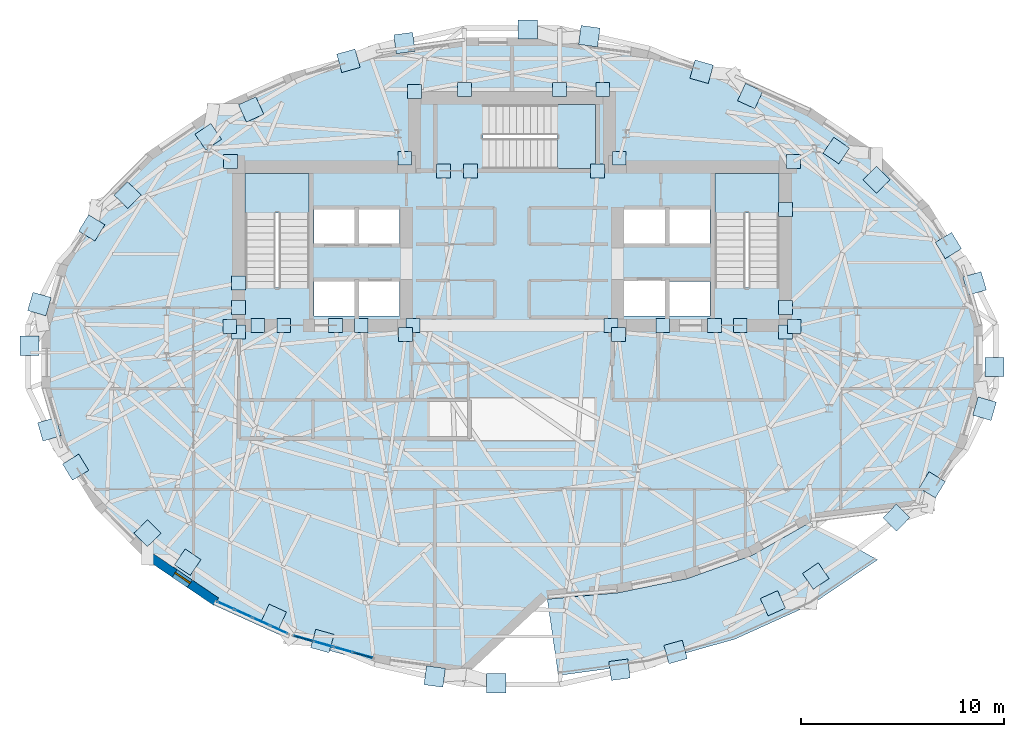
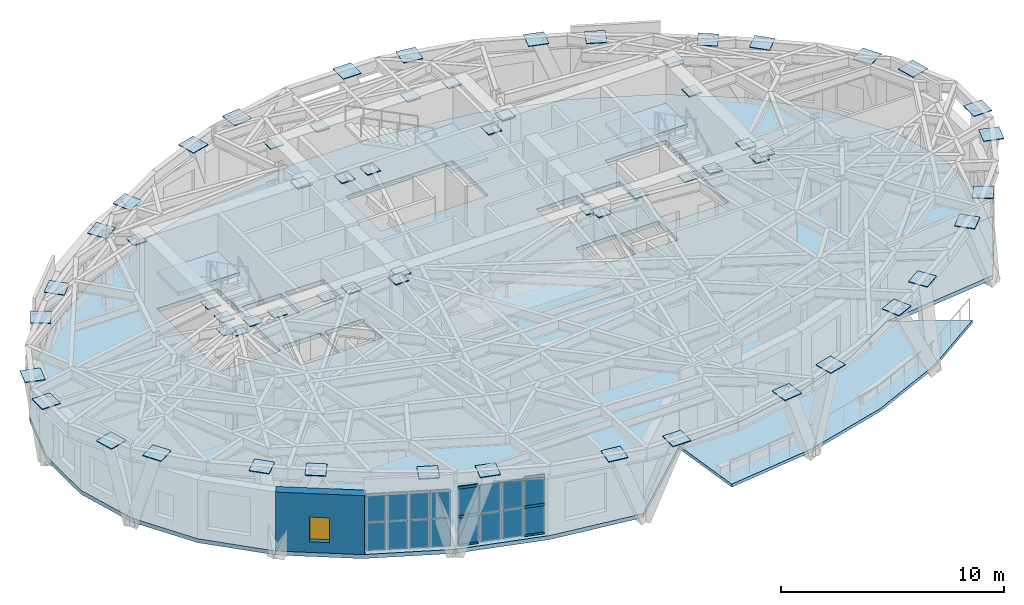
# One storey, part 7 of 15: 78 plates, 6 members, 5 slabs, 1 wall, 1 window, 1 opening, 5 elements without a shape of their own.
"""IFC4 building model written with IfcOpenShell, lengths in metres."""

from ifc_helpers import new_model, si_unit, direction, frame, frame_2d, origin, origin_2d, place, context, subcontext, project, spatial, polyline, rectangle, outline, extrude, material, layer, layer_set, material_profile, profile_set, type_object, element, fill, aggregate, save


model = new_model("IFC4")

# Units and contexts
model_context = context("Model", 3, precision=1e-05, world=origin(), true_north=direction((0.0, 1.0)))
body_context = subcontext(model_context, "Body", "Model", "MODEL_VIEW")
ifc_project = project(units=[si_unit("LENGTHUNIT", "METRE"), si_unit("AREAUNIT", "SQUARE_METRE"), si_unit("VOLUMEUNIT", "CUBIC_METRE"), si_unit("PLANEANGLEUNIT", "RADIAN"), si_unit("MASSUNIT", "GRAM", prefix="KILO")], contexts=[model_context])

# Site, building, storey
site_placement = place(None, origin())
site = spatial("IfcSite", under=ifc_project, at=site_placement, CompositionType="ELEMENT")
building_placement = place(site_placement, origin())
building = spatial("IfcBuilding", under=site, at=building_placement, Name="Keldmark Tower", CompositionType="ELEMENT")
storey_placement = place(building_placement, frame((0.0, 0.0, 205.89990234375)))
storey = spatial("IfcBuildingStorey", under=building, at=storey_placement, Name="L57", CompositionType="ELEMENT", Elevation=205.89990234375)

# Curtain wall, members
ifc_material_1 = material(Name="Unitized Thermally Broken Aluminum and Triple Low-E Glazing", Category="aluminium")
ifc_layer_1 = layer(ifc_material_1, 0.219970703125)
ifc_layer_set_1 = layer_set([ifc_layer_1], Name="Unitized Thermally Broken Aluminum and Triple Low-E Glazing")
curtain_wall_type = type_object("IfcCurtainWallType", Name="Sky Lobby Amenity Curtain Wall System", PredefinedType="NOTDEFINED", material=ifc_layer_set_1)
curtain_wall_1_placement = place(storey_placement, origin())
curtain_wall_1 = element("IfcCurtainWall", 1, at=curtain_wall_1_placement, inside=storey, type_object=curtain_wall_type, Name="L57 Sky Lobby Amenity Curtain Wall System CW-L57-22", PredefinedType="NOTDEFINED")
ifc_material_2 = material(Name="Extruded Aluminum Alloy 6063-T6", Category="aluminium")
ifc_material_profile = material_profile(ifc_material_2, rectangle(XDim=0.06005859375, YDim=0.139892578125, at=origin_2d()), Name="CWT60X140")
ifc_profile_set = profile_set([ifc_material_profile], Name="Extruded Aluminum Alloy 6063-T6")
member_type = type_object("IfcMemberType", Name="Curtain Wall Horizontal Transom 60x140", PredefinedType="USERDEFINED", material=ifc_profile_set)
member_1_placement = place(storey_placement, frame((-6.896728515625, -14.853759765625, 0.030029296875), z_axis=(-0.962774095885, 0.270307307137, 0.0), x_axis=(-0.270307307137, -0.962774095885, 0.0)))
member_1 = element("IfcMember", 2, at=member_1_placement, type_object=member_type, Name="CW transom 1.1", ObjectType="TRANSOM", PredefinedType="USERDEFINED", context=body_context, shape_type="SweptSolid", body=[
    extrude(rectangle(XDim=0.06005859375, YDim=0.139892578125, at=origin_2d()), origin(), (0.0, 0.0, 1.0), 0.935791015625),
])
member_2_placement = place(storey_placement, frame((-6.896728515625, -14.853759765625, 1.607666015625), z_axis=(-0.962774095885, 0.270307307137, 0.0), x_axis=(-0.270307307137, -0.962774095885, 0.0)))
member_2 = element("IfcMember", 3, at=member_2_placement, type_object=member_type, Name="CW transom 1.2", ObjectType="TRANSOM", PredefinedType="USERDEFINED", context=body_context, shape_type="SweptSolid", body=[
    extrude(rectangle(XDim=0.06005859375, YDim=0.139892578125, at=origin_2d()), origin(), (0.0, 0.0, 1.0), 0.935791015625),
])
member_3_placement = place(storey_placement, frame((-6.896728515625, -14.853759765625, 3.18505859375), z_axis=(-0.962774095885, 0.270307307137, 0.0), x_axis=(-0.270307307137, -0.962774095885, 0.0)))
member_3 = element("IfcMember", 4, at=member_3_placement, type_object=member_type, Name="CW transom 1.3", ObjectType="TRANSOM", PredefinedType="USERDEFINED", context=body_context, shape_type="SweptSolid", body=[
    extrude(rectangle(XDim=0.06005859375, YDim=0.139892578125, at=origin_2d()), origin(), (0.0, 0.0, 1.0), 0.935791015625),
])
member_4_placement = place(storey_placement, frame((-9.83056640625, -14.02978515625, 0.030029296875), z_axis=(-0.962706168672, 0.270549131955, 0.0), x_axis=(-0.270549131955, -0.962706168672, 0.0)))
member_4 = element("IfcMember", 5, at=member_4_placement, type_object=member_type, Name="CW transom 4.1", ObjectType="TRANSOM", PredefinedType="USERDEFINED", context=body_context, shape_type="SweptSolid", body=[
    extrude(rectangle(XDim=0.06005859375, YDim=0.139892578125, at=origin_2d()), origin(), (0.0, 0.0, 1.0), 0.935791015625),
])
member_5_placement = place(storey_placement, frame((-9.83056640625, -14.02978515625, 1.607666015625), z_axis=(-0.962706168672, 0.270549131955, 0.0), x_axis=(-0.270549131955, -0.962706168672, 0.0)))
member_5 = element("IfcMember", 6, at=member_5_placement, type_object=member_type, Name="CW transom 4.2", ObjectType="TRANSOM", PredefinedType="USERDEFINED", context=body_context, shape_type="SweptSolid", body=[
    extrude(rectangle(XDim=0.06005859375, YDim=0.139892578125, at=origin_2d()), origin(), (0.0, 0.0, 1.0), 0.935791015625),
])
member_6_placement = place(storey_placement, frame((-9.83056640625, -14.02978515625, 3.18505859375), z_axis=(-0.962706168672, 0.270549131955, 0.0), x_axis=(-0.270549131955, -0.962706168672, 0.0)))
member_6 = element("IfcMember", 7, at=member_6_placement, type_object=member_type, Name="CW transom 4.3", ObjectType="TRANSOM", PredefinedType="USERDEFINED", context=body_context, shape_type="SweptSolid", body=[
    extrude(rectangle(XDim=0.06005859375, YDim=0.139892578125, at=origin_2d()), origin(), (0.0, 0.0, 1.0), 0.935791015625),
])

# Plates
ifc_material_3 = material(Name="Steel ASTM A572 Grade 50", Category="steel")
ifc_layer_2 = layer(ifc_material_3, 0.06005859375)
ifc_layer_set_2 = layer_set([ifc_layer_2], Name="Steel ASTM A572 Grade 50")
plate_type_1 = type_object("IfcPlateType", Name="Belt Truss Kink Node Assembly KN01 60 mm", PredefinedType="USERDEFINED", material=ifc_layer_set_2)
for number, where, z_axis, x_axis, name in (
    (8, (13.91162109375, 1.473388671875, 3.6279296875), (0.0, 0.0, 1.0), (1.0, 0.0, 0.0), "L57 Core Wall Cast-In Embed Plate 1672"),
    (9, (13.878173828125, 9.608154296875, 3.6279296875), (0.0, 0.0, 1.0), (1.0, 0.0, 0.0), "L57 Core Wall Cast-In Embed Plate 1673"),
    (10, (5.28515625, 9.758544921875, 3.6279296875), (0.0, 0.0, 1.0), (1.0, 0.0, 0.0), "L57 Core Wall Cast-In Embed Plate 1674"),
    (11, (-5.28515625, 9.758544921875, 3.6279296875), (0.0, 0.0, 1.0), (1.0, 0.0, 0.0), "L57 Core Wall Cast-In Embed Plate 1675"),
    (12, (-13.878173828125, 9.608154296875, 3.6279296875), (0.0, 0.0, 1.0), (1.0, 0.0, 0.0), "L57 Core Wall Cast-In Embed Plate 1676"),
    (13, (-13.91162109375, 1.473388671875, 3.6279296875), (0.0, 0.0, 1.0), (1.0, 0.0, 0.0), "L57 Core Wall Cast-In Embed Plate 1677"),
    (14, (-5.24072265625, 1.08251953125, 3.6279296875), (0.0, 0.0, 1.0), (1.0, 0.0, 0.0), "L57 Core Wall Cast-In Embed Plate 1678"),
    (15, (5.24072265625, 1.08251953125, 3.6279296875), (0.0, 0.0, 1.0), (1.0, 0.0, 0.0), "L57 Core Wall Cast-In Embed Plate 1679"),
    (16, (-11.25, 1.52490234375, 3.6240234375), (0.0, 0.0, 1.0), (1.0, 0.0, 0.0), "L57 Core Wall Cast-In Embed Plate 1680"),
    (17, (-7.425048828125, 1.52490234375, 3.6240234375), (0.0, 0.0, 1.0), (1.0, 0.0, 0.0), "L57 Core Wall Cast-In Embed Plate 1681"),
    (18, (7.425048828125, 1.52490234375, 3.6240234375), (0.0, 0.0, 1.0), (1.0, 0.0, 0.0), "L57 Core Wall Cast-In Embed Plate 1682"),
    (19, (11.25, 1.52490234375, 3.6240234375), (0.0, 0.0, 1.0), (1.0, 0.0, 0.0), "L57 Core Wall Cast-In Embed Plate 1683"),
    (20, (-13.47509765625, 1.199951171875, 3.6240234375), (0.0, 0.0, 1.0), (1.0, 0.0, 0.0), "L57 Core Wall Cast-In Embed Plate 1684"),
    (21, (-2.04296875, 9.139892578125, 3.6240234375), (0.0, 0.0, 1.0), (1.0, 0.0, 0.0), "L57 Core Wall Cast-In Embed Plate 1685"),
    (22, (9.97509765625, 1.52490234375, 3.6240234375), (0.0, 0.0, 1.0), (1.0, 0.0, 0.0), "L57 Core Wall Cast-In Embed Plate 1686"),
    (23, (13.47509765625, 1.199951171875, 3.6240234375), (0.0, 0.0, 1.0), (1.0, 0.0, 0.0), "L57 Core Wall Cast-In Embed Plate 1687"),
    (24, (13.47509765625, 2.406982421875, 3.6240234375), (0.0, 0.0, 1.0), (1.0, 0.0, 0.0), "L57 Core Wall Cast-In Embed Plate 1688"),
    (25, (13.47509765625, 7.235595703125, 3.6240234375), (0.0, 0.0, 1.0), (1.0, 0.0, 0.0), "L57 Core Wall Cast-In Embed Plate 1689"),
    (26, (-13.47509765625, 3.6142578125, 3.6240234375), (0.0, 0.0, 1.0), (1.0, 0.0, 0.0), "L57 Core Wall Cast-In Embed Plate 1690"),
    (27, (-13.47509765625, 2.406982421875, 3.6240234375), (0.0, 0.0, 1.0), (1.0, 0.0, 0.0), "L57 Core Wall Cast-In Embed Plate 1691"),
    (28, (4.875, 1.52490234375, 3.6240234375), (0.0, 0.0, 1.0), (1.0, 0.0, 0.0), "L57 Core Wall Cast-In Embed Plate 1692"),
    (29, (-8.699951171875, 1.52490234375, 3.6240234375), (0.0, 0.0, 1.0), (1.0, 0.0, 0.0), "L57 Core Wall Cast-In Embed Plate 1693"),
    (30, (-3.371337890625, 9.139892578125, 3.6240234375), (0.0, 0.0, 1.0), (1.0, 0.0, 0.0), "L57 Core Wall Cast-In Embed Plate 1694"),
    (31, (4.215087890625, 9.139892578125, 3.6240234375), (0.0, 0.0, 1.0), (1.0, 0.0, 0.0), "L57 Core Wall Cast-In Embed Plate 1695"),
    (32, (-12.52490234375, 1.52490234375, 3.6240234375), (0.0, 0.0, 1.0), (1.0, 0.0, 0.0), "L57 Core Wall Cast-In Embed Plate 1696"),
    (33, (-4.875, 1.52490234375, 3.6240234375), (0.0, 0.0, 1.0), (1.0, 0.0, 0.0), "L57 Core Wall Cast-In Embed Plate 1697"),
    (34, (2.347412109375, 13.14990234375, 3.6240234375), (0.0, 0.0, 1.0), (1.0, 0.0, 0.0), "L57 Core Wall Cast-In Embed Plate 1698"),
    (35, (-2.347412109375, 13.14990234375, 3.6240234375), (0.0, 0.0, 1.0), (1.0, 0.0, 0.0), "L57 Core Wall Cast-In Embed Plate 1699"),
    (36, (4.47265625, 13.14990234375, 3.6240234375), (0.0, 0.0, 1.0), (1.0, 0.0, 0.0), "L57 Core Wall Cast-In Embed Plate 1700"),
    (37, (-4.800048828125, 13.050048828125, 3.6240234375), (0.0, 0.0, 1.0), (1.0, 0.0, 0.0), "L57 Core Wall Cast-In Embed Plate 1701"),
):
    element("IfcPlate", number, at=place(storey_placement, frame(where, z_axis=z_axis, x_axis=x_axis)), inside=storey, type_object=plate_type_1, Name=name, ObjectType="CAP PLATE", PredefinedType="USERDEFINED", context=body_context, shape_type="SweptSolid", body=[
        extrude(rectangle(XDim=0.679931640625, YDim=0.679931640625, at=origin_2d()), origin(), (0.0, 0.0, 1.0), 0.054931640625),
    ])
ifc_material_4 = material(Name="Steel ASTM A572 Grade 50", Category="steel")
ifc_layer_3 = layer(ifc_material_4, 0.0400390625)
ifc_layer_set_3 = layer_set([ifc_layer_3], Name="Steel ASTM A572 Grade 50")
plate_type_2 = type_object("IfcPlateType", Name="Diagrid Node Assembly DN05 40 mm", PredefinedType="USERDEFINED", material=ifc_layer_set_3)
for number, where, z_axis, x_axis, name in (
    (38, (22.7939453125, 3.59228515625, 3.780029296875), (0.0, 0.0, 1.0), (-0.281504190071, 0.959559998631, 0.0), "L57 Diagrid Node Assembly 01"),
    (39, (21.50439453125, 5.4619140625, 3.780029296875), (0.0, 0.0, 1.0), (-0.521307545528, 0.853368878608, 0.0), "L57 Diagrid Node Assembly 02"),
    (40, (17.96337890625, 8.708984375, 3.780029296875), (0.0, 0.0, 1.0), (-0.701904466245, 0.712271100259, 0.0), "L57 Diagrid Node Assembly 03"),
    (41, (15.97998046875, 10.14111328125, 3.780029296875), (0.0, 0.0, 1.0), (-0.827668733006, 0.561216953062, 0.0), "L57 Diagrid Node Assembly 04"),
    (42, (11.73681640625, 12.831787109375, 3.780029296875), (0.0, 0.0, 1.0), (-0.910899836935, 0.412627540369, 0.0), "L57 Diagrid Node Assembly 05"),
    (43, (9.344970703125, 14.027587890625, 3.780029296875), (0.0, 0.0, 1.0), (-0.962738960451, 0.270432420449, 0.0), "L57 Diagrid Node Assembly 06"),
    (44, (3.808837890625, 15.77587890625, 3.780029296875), (0.0, 0.0, 1.0), (-0.991029909341, 0.133640258869, 0.0), "L57 Diagrid Node Assembly 07"),
    (45, (0.776611328125, 16.10595703125, 3.780029296875), (0.0, 0.0, 1.0), (-1.0, 0.0, 0.0), "L57 Diagrid Node Assembly 08"),
    (46, (-5.29931640625, 15.441162109375, 3.780029296875), (0.0, 0.0, 1.0), (-0.991029909341, -0.133640258869, 0.0), "L57 Diagrid Node Assembly 09"),
    (47, (-8.06103515625, 14.56689453125, 3.780029296875), (0.0, 0.0, 1.0), (-0.962738960451, -0.270432420449, 0.0), "L57 Diagrid Node Assembly 10"),
    (48, (-12.853515625, 12.166748046875, 3.780029296875), (0.0, 0.0, 1.0), (-0.910899836935, -0.412627540369, 0.0), "L57 Diagrid Node Assembly 11"),
    (49, (-14.969482421875, 10.82373046875, 3.780029296875), (0.0, 0.0, 1.0), (-0.827668733006, -0.561216953062, 0.0), "L57 Diagrid Node Assembly 12"),
    (50, (-18.940673828125, 7.9482421875, 3.780029296875), (0.0, 0.0, 1.0), (-0.701904466245, -0.712271100259, 0.0), "L57 Diagrid Node Assembly 13"),
    (51, (-20.70703125, 6.3291015625, 3.780029296875), (0.0, 0.0, 1.0), (-0.521307545528, -0.853368878608, 0.0), "L57 Diagrid Node Assembly 14"),
    (52, (-23.28662109375, 2.577880859375, 3.780029296875), (0.0, 0.0, 1.0), (-0.281504190071, -0.959559998631, 0.0), "L57 Diagrid Node Assembly 15"),
    (53, (-23.7744140625, 0.52490234375, 3.780029296875), (0.0, 0.0, 1.0), (0.0, -1.0, 0.0), "L57 Diagrid Node Assembly 16"),
    (54, (-22.7939453125, -3.59228515625, 3.780029296875), (0.0, 0.0, 1.0), (0.281504190071, -0.959559998631, 0.0), "L57 Diagrid Node Assembly 17"),
    (55, (-21.50439453125, -5.4619140625, 3.780029296875), (0.0, 0.0, 1.0), (0.521307545528, -0.853368878608, 0.0), "L57 Diagrid Node Assembly 18"),
    (56, (-17.96337890625, -8.708984375, 3.780029296875), (0.0, 0.0, 1.0), (0.701904466245, -0.712271100259, 0.0), "L57 Diagrid Node Assembly 19"),
    (57, (-15.97998046875, -10.14111328125, 3.780029296875), (0.0, 0.0, 1.0), (0.827668733006, -0.561216953062, 0.0), "L57 Diagrid Node Assembly 20"),
    (58, (-11.73681640625, -12.831787109375, 3.780029296875), (0.0, 0.0, 1.0), (0.910899836935, -0.412627540369, 0.0), "L57 Diagrid Node Assembly 21"),
    (59, (-9.344970703125, -14.027587890625, 3.780029296875), (0.0, 0.0, 1.0), (0.962738960451, -0.270432420449, 0.0), "L57 Diagrid Node Assembly 22"),
    (60, (-3.808837890625, -15.77587890625, 3.780029296875), (0.0, 0.0, 1.0), (0.991029909341, -0.133640258869, 0.0), "L57 Diagrid Node Assembly 23"),
    (61, (-0.776611328125, -16.10595703125, 3.780029296875), (0.0, 0.0, 1.0), (1.0, 0.0, 0.0), "L57 Diagrid Node Assembly 24"),
    (62, (5.29931640625, -15.441162109375, 3.780029296875), (0.0, 0.0, 1.0), (0.991029909341, 0.133640258869, 0.0), "L57 Diagrid Node Assembly 25"),
    (63, (8.06103515625, -14.56689453125, 3.780029296875), (0.0, 0.0, 1.0), (0.962738960451, 0.270432420449, 0.0), "L57 Diagrid Node Assembly 26"),
    (64, (12.853515625, -12.166748046875, 3.780029296875), (0.0, 0.0, 1.0), (0.910899836935, 0.412627540369, 0.0), "L57 Diagrid Node Assembly 27"),
    (65, (14.969482421875, -10.82373046875, 3.780029296875), (0.0, 0.0, 1.0), (0.827668733006, 0.561216953062, 0.0), "L57 Diagrid Node Assembly 28"),
    (66, (18.940673828125, -7.9482421875, 3.780029296875), (0.0, 0.0, 1.0), (0.701904466245, 0.712271100259, 0.0), "L57 Diagrid Node Assembly 29"),
    (67, (20.70703125, -6.3291015625, 3.780029296875), (0.0, 0.0, 1.0), (0.521307545528, 0.853368878608, 0.0), "L57 Diagrid Node Assembly 30"),
    (68, (23.28662109375, -2.577880859375, 3.780029296875), (0.0, 0.0, 1.0), (0.281504190071, 0.959559998631, 0.0), "L57 Diagrid Node Assembly 31"),
    (69, (23.7744140625, -0.52490234375, 3.780029296875), (0.0, 0.0, 1.0), (0.0, 1.0, 0.0), "L57 Diagrid Node Assembly 32"),
):
    element("IfcPlate", number, at=place(storey_placement, frame(where, z_axis=z_axis, x_axis=x_axis)), inside=storey, type_object=plate_type_2, Name=name, ObjectType="GUSSET", PredefinedType="USERDEFINED", context=body_context, shape_type="SweptSolid", body=[
        extrude(rectangle(XDim=0.93994140625, YDim=0.93994140625, at=origin_2d()), origin(), (0.0, 0.0, 1.0), 0.0400390625),
    ])

# Slab
ifc_material_5 = material(Name="Concrete C35/45", Category="concrete")
ifc_layer_4 = layer(ifc_material_5, 0.1650390625)
ifc_layer_set_4 = layer_set([ifc_layer_4], Name="Concrete C35/45")
slab_type_1 = type_object("IfcSlabType", Name="Planted Sky-Garden Terrace Slab 165 mm", PredefinedType="ROOF", material=ifc_layer_set_4)
slab_1_placement = place(storey_placement, frame((0.0, 0.0, -0.164794921875)))
element("IfcSlab", 70, at=slab_1_placement, inside=storey, type_object=slab_type_1, Name="Planted Sky-Garden Terrace Slab", PredefinedType="ROOF", context=body_context, shape_type="SweptSolid", body=[
    extrude(outline(polyline([(2.28369140625, -15.723876953125), (6.763671875, -15.11962890625), (10.9833984375, -13.934326171875), (14.781494140625, -12.213623046875), (18.010986328125, -10.0234375), (14.690673828125, -8.175537109375), (11.85205078125, -9.793212890625), (8.631103515625, -10.949951171875), (5.2119140625, -11.65087890625), (1.737548828125, -11.96337890625), (2.28369140625, -15.723876953125)])), origin(), (0.0, 0.0, 1.0), 0.164794921875),
])

# Stair, slab
ifc_material_6 = material(Name="Concrete C40/50", Category="concrete")
stair_type = type_object("IfcStairType", Name="Precast Concrete Core Exit Stair", PredefinedType="HALF_TURN_STAIR", material=ifc_material_6)
stair_1_placement = place(storey_placement, origin())
stair_1 = element("IfcStair", 71, at=stair_1_placement, inside=storey, type_object=stair_type, Name="L57 Exit Stair ST1", PredefinedType="HALF_TURN_STAIR")
ifc_material_7 = material(Name="Concrete C40/50", Category="concrete")
ifc_layer_5 = layer(ifc_material_7, 0.199951171875)
ifc_layer_set_5 = layer_set([ifc_layer_5], Name="Concrete C40/50")
slab_type_2 = type_object("IfcSlabType", Name="Reinforced Concrete Stair Landing 200 mm", PredefinedType="LANDING", material=ifc_layer_set_5)
slab_2_placement = place(storey_placement, frame((0.0, 0.0, 1.85009765625)))
slab_2 = element("IfcSlab", 72, at=slab_2_placement, type_object=slab_type_2, Name="ST1 landing 1", PredefinedType="LANDING", context=body_context, shape_type="SweptSolid", body=[
    extrude(outline(polyline([(-10.0, 7.070068359375), (-10.0, 9.0), (-13.14990234375, 9.0), (-13.14990234375, 7.070068359375), (-10.0, 7.070068359375)])), origin(), (0.0, 0.0, 1.0), 0.199951171875),
])
aggregate(stair_1, [slab_2])

stair_2_placement = place(storey_placement, origin())
stair_2 = element("IfcStair", 73, at=stair_2_placement, inside=storey, type_object=stair_type, Name="L57 Exit Stair ST2", PredefinedType="HALF_TURN_STAIR")
slab_3_placement = place(storey_placement, frame((0.0, 0.0, 1.85009765625)))
slab_3 = element("IfcSlab", 74, at=slab_3_placement, type_object=slab_type_2, Name="ST2 landing 1", PredefinedType="LANDING", context=body_context, shape_type="SweptSolid", body=[
    extrude(outline(polyline([(13.14990234375, 7.070068359375), (13.14990234375, 9.0), (10.0, 9.0), (10.0, 7.070068359375), (13.14990234375, 7.070068359375)])), origin(), (0.0, 0.0, 1.0), 0.199951171875),
])
aggregate(stair_2, [slab_3])

stair_3_placement = place(storey_placement, origin())
stair_3 = element("IfcStair", 75, at=stair_3_placement, inside=storey, type_object=stair_type, Name="L57 Exit Stair ST3", PredefinedType="HALF_TURN_STAIR")
slab_4_placement = place(storey_placement, frame((0.0, 0.0, 1.85009765625)))
slab_4 = element("IfcSlab", 76, at=slab_4_placement, type_object=slab_type_2, Name="ST3 landing 1", PredefinedType="LANDING", context=body_context, shape_type="SweptSolid", body=[
    extrude(outline(polyline([(2.2451171875, 9.25), (4.10498046875, 9.25), (4.10498046875, 12.39990234375), (2.2451171875, 12.39990234375), (2.2451171875, 9.25)])), origin(), (0.0, 0.0, 1.0), 0.199951171875),
])
aggregate(stair_3, [slab_4])

# Slab
ifc_material_8 = material(Name="Concrete C35/45", Category="concrete")
ifc_layer_6 = layer(ifc_material_8, 0.219970703125)
ifc_layer_set_6 = layer_set([ifc_layer_6], Name="Concrete C35/45")
slab_type_3 = type_object("IfcSlabType", Name="Sky Lobby Floor Slab 220 mm", PredefinedType="FLOOR", material=ifc_layer_set_6)
slab_5_placement = place(storey_placement, frame((0.0, 0.0, -0.219970703125)))
element("IfcSlab", 77, at=slab_5_placement, inside=storey, type_object=slab_type_3, Name="L57 Composite Structural Floor Slab", PredefinedType="FLOOR", context=body_context, shape_type="SweptSolid", body=[
    extrude(outline(polyline([(23.187744140625, 1.548583984375), (22.296630859375, 4.58642578125), (20.548828125, 7.447998046875), (18.010986328125, 10.0234375), (14.781494140625, 12.213623046875), (10.9833984375, 13.934326171875), (6.763671875, 15.11962890625), (2.28369140625, 15.723876953125), (-2.28369140625, 15.723876953125), (-6.763671875, 15.11962890625), (-10.9833984375, 13.934326171875), (-14.781494140625, 12.213623046875), (-18.010986328125, 10.0234375), (-20.548828125, 7.447998046875), (-22.296630859375, 4.58642578125), (-23.187744140625, 1.548583984375), (-23.187744140625, -1.548583984375), (-22.296630859375, -4.58642578125), (-20.548828125, -7.447998046875), (-18.010986328125, -10.0234375), (-14.781494140625, -12.213623046875), (-10.9833984375, -13.934326171875), (-6.763671875, -15.11962890625), (-2.28369140625, -15.723876953125), (1.737548828125, -11.96337890625), (5.2119140625, -11.65087890625), (8.631103515625, -10.949951171875), (11.85205078125, -9.793212890625), (14.690673828125, -8.175537109375), (20.548828125, -7.447998046875), (22.296630859375, -4.58642578125), (23.187744140625, -1.548583984375), (23.187744140625, 1.548583984375)]), holes=[polyline([(-10.0, 3.385009765625), (-10.0, 9.0), (-13.14990234375, 9.0), (-13.14990234375, 3.385009765625), (-10.0, 3.385009765625)]), polyline([(13.14990234375, 3.385009765625), (13.14990234375, 9.0), (10.0, 9.0), (10.0, 3.385009765625), (13.14990234375, 3.385009765625)]), polyline([(-1.43994140625, 9.25), (4.10498046875, 9.25), (4.10498046875, 12.39990234375), (-1.43994140625, 12.39990234375), (-1.43994140625, 9.25)]), polyline([(-9.75, 2.0), (-7.75, 2.0), (-7.75, 3.699951171875), (-9.75, 3.699951171875), (-9.75, 2.0)]), polyline([(7.75, 2.0), (9.75, 2.0), (9.75, 3.699951171875), (7.75, 3.699951171875), (7.75, 2.0)]), polyline([(5.449951171875, 2.0), (7.550048828125, 2.0), (7.550048828125, 3.75), (5.449951171875, 3.75), (5.449951171875, 2.0)]), polyline([(-9.75, 5.550048828125), (-7.75, 5.550048828125), (-7.75, 7.25), (-9.75, 7.25), (-9.75, 5.550048828125)]), polyline([(-7.550048828125, 5.550048828125), (-5.550048828125, 5.550048828125), (-5.550048828125, 7.25), (-7.550048828125, 7.25), (-7.550048828125, 5.550048828125)]), polyline([(-7.550048828125, 2.0), (-5.550048828125, 2.0), (-5.550048828125, 3.699951171875), (-7.550048828125, 3.699951171875), (-7.550048828125, 2.0)]), polyline([(5.449951171875, 5.550048828125), (7.550048828125, 5.550048828125), (7.550048828125, 7.25), (5.449951171875, 7.25), (5.449951171875, 5.550048828125)]), polyline([(7.75, 5.550048828125), (9.75, 5.550048828125), (9.75, 7.25), (7.75, 7.25), (7.75, 5.550048828125)])]), origin(), (0.0, 0.0, 1.0), 0.219970703125),
])

# Curtain wall, plates
curtain_wall_2_placement = place(storey_placement, origin())
curtain_wall_2 = element("IfcCurtainWall", 78, at=curtain_wall_2_placement, inside=storey, type_object=curtain_wall_type, Name="L57 Sky Lobby Amenity Curtain Wall System CW-L57-21", PredefinedType="NOTDEFINED")
ifc_material_9 = material(Name="Triple Silver Low-E Insulated Glass Unit", Category="glass")
ifc_layer_7 = layer(ifc_material_9, 0.035888671875)
ifc_layer_set_7 = layer_set([ifc_layer_7], Name="Triple Silver Low-E Insulated Glass Unit")
plate_type_3 = type_object("IfcPlateType", Name="Triple Low-E Vision Glazing Panel 36 mm", PredefinedType="CURTAIN_PANEL", material=ifc_layer_set_7)
plate_1_placement = place(storey_placement, frame((-11.476806640625, -13.46923828125, 0.06005859375), z_axis=(0.0, 0.0, 1.0), x_axis=(-0.910870310441, 0.412692715658, 0.0)))
plate_1 = element("IfcPlate", 79, at=plate_1_placement, type_object=plate_type_3, Name="CW panel 1.1", PredefinedType="CURTAIN_PANEL", context=body_context, shape_type="SweptSolid", body=[
    extrude(rectangle(XDim=0.88232421875, YDim=0.035888671875, at=origin_2d()), origin(), (0.0, 0.0, 1.0), 1.517578125),
])
plate_2_placement = place(storey_placement, frame((-11.476806640625, -13.46923828125, 1.637451171875), z_axis=(0.0, 0.0, 1.0), x_axis=(-0.910870310441, 0.412692715658, 0.0)))
plate_2 = element("IfcPlate", 80, at=plate_2_placement, type_object=plate_type_3, Name="CW panel 1.2", PredefinedType="CURTAIN_PANEL", context=body_context, shape_type="SweptSolid", body=[
    extrude(rectangle(XDim=0.88232421875, YDim=0.035888671875, at=origin_2d()), origin(), (0.0, 0.0, 1.0), 1.517578125),
])
plate_3_placement = place(storey_placement, frame((-12.348876953125, -13.07421875, 0.06005859375), z_axis=(0.0, 0.0, 1.0), x_axis=(-0.910870310441, 0.412692715658, 0.0)))
plate_3 = element("IfcPlate", 81, at=plate_3_placement, type_object=plate_type_3, Name="CW panel 2.1", PredefinedType="CURTAIN_PANEL", context=body_context, shape_type="SweptSolid", body=[
    extrude(rectangle(XDim=0.912353515625, YDim=0.035888671875, at=origin_2d()), origin(), (0.0, 0.0, 1.0), 1.517578125),
])
plate_4_placement = place(storey_placement, frame((-12.348876953125, -13.07421875, 1.637451171875), z_axis=(0.0, 0.0, 1.0), x_axis=(-0.910870310441, 0.412692715658, 0.0)))
plate_4 = element("IfcPlate", 82, at=plate_4_placement, type_object=plate_type_3, Name="CW panel 2.2", PredefinedType="CURTAIN_PANEL", context=body_context, shape_type="SweptSolid", body=[
    extrude(rectangle(XDim=0.912353515625, YDim=0.035888671875, at=origin_2d()), origin(), (0.0, 0.0, 1.0), 1.517578125),
])
plate_5_placement = place(storey_placement, frame((-13.234619140625, -12.6728515625, 0.06005859375), z_axis=(0.0, 0.0, 1.0), x_axis=(-0.910870310441, 0.412692715658, 0.0)))
plate_5 = element("IfcPlate", 83, at=plate_5_placement, type_object=plate_type_3, Name="CW panel 3.1", PredefinedType="CURTAIN_PANEL", context=body_context, shape_type="SweptSolid", body=[
    extrude(rectangle(XDim=0.912353515625, YDim=0.035888671875, at=origin_2d()), origin(), (0.0, 0.0, 1.0), 1.517578125),
])
plate_6_placement = place(storey_placement, frame((-13.234619140625, -12.6728515625, 1.637451171875), z_axis=(0.0, 0.0, 1.0), x_axis=(-0.910870310441, 0.412692715658, 0.0)))
plate_6 = element("IfcPlate", 84, at=plate_6_placement, type_object=plate_type_3, Name="CW panel 3.2", PredefinedType="CURTAIN_PANEL", context=body_context, shape_type="SweptSolid", body=[
    extrude(rectangle(XDim=0.912353515625, YDim=0.035888671875, at=origin_2d()), origin(), (0.0, 0.0, 1.0), 1.517578125),
])
plate_7_placement = place(storey_placement, frame((-14.106689453125, -12.27783203125, 0.06005859375), z_axis=(0.0, 0.0, 1.0), x_axis=(-0.910870310441, 0.412692715658, 0.0)))
plate_7 = element("IfcPlate", 85, at=plate_7_placement, type_object=plate_type_3, Name="CW panel 4.1", PredefinedType="CURTAIN_PANEL", context=body_context, shape_type="SweptSolid", body=[
    extrude(rectangle(XDim=0.88232421875, YDim=0.035888671875, at=origin_2d()), origin(), (0.0, 0.0, 1.0), 1.517578125),
])
plate_8_placement = place(storey_placement, frame((-14.106689453125, -12.27783203125, 1.637451171875), z_axis=(0.0, 0.0, 1.0), x_axis=(-0.910870310441, 0.412692715658, 0.0)))
plate_8 = element("IfcPlate", 86, at=plate_8_placement, type_object=plate_type_3, Name="CW panel 4.2", PredefinedType="CURTAIN_PANEL", context=body_context, shape_type="SweptSolid", body=[
    extrude(rectangle(XDim=0.88232421875, YDim=0.035888671875, at=origin_2d()), origin(), (0.0, 0.0, 1.0), 1.517578125),
])
aggregate(curtain_wall_2, [plate_1, plate_2, plate_3, plate_4, plate_5, plate_6, plate_7, plate_8])

# Plate
plate_9_placement = place(storey_placement, frame((-7.34716796875, -14.727294921875, 0.06005859375), z_axis=(0.0, 0.0, 1.0), x_axis=(-0.962747548753, 0.270401844243, 0.0)))
plate_9 = element("IfcPlate", 87, at=plate_9_placement, type_object=plate_type_3, Name="CW panel 1.1", PredefinedType="CURTAIN_PANEL", context=body_context, shape_type="SweptSolid", body=[
    extrude(rectangle(XDim=0.935791015625, YDim=0.035888671875, at=origin_2d()), origin(), (0.0, 0.0, 1.0), 1.517578125),
])

plate_10_placement = place(storey_placement, frame((-7.34716796875, -14.727294921875, 1.637451171875), z_axis=(0.0, 0.0, 1.0), x_axis=(-0.962747548753, 0.270401844243, 0.0)))
plate_10 = element("IfcPlate", 88, at=plate_10_placement, type_object=plate_type_3, Name="CW panel 1.2", PredefinedType="CURTAIN_PANEL", context=body_context, shape_type="SweptSolid", body=[
    extrude(rectangle(XDim=0.935791015625, YDim=0.035888671875, at=origin_2d()), origin(), (0.0, 0.0, 1.0), 1.517578125),
])

plate_11_placement = place(storey_placement, frame((-8.3203125, -14.453857421875, 0.06005859375), z_axis=(0.0, 0.0, 1.0), x_axis=(-0.962747548753, 0.270401844243, 0.0)))
plate_11 = element("IfcPlate", 89, at=plate_11_placement, type_object=plate_type_3, Name="CW panel 2.1", PredefinedType="CURTAIN_PANEL", context=body_context, shape_type="SweptSolid", body=[
    extrude(rectangle(XDim=0.9658203125, YDim=0.035888671875, at=origin_2d()), origin(), (0.0, 0.0, 1.0), 1.517578125),
])

plate_12_placement = place(storey_placement, frame((-8.3203125, -14.453857421875, 1.637451171875), z_axis=(0.0, 0.0, 1.0), x_axis=(-0.962747548753, 0.270401844243, 0.0)))
plate_12 = element("IfcPlate", 90, at=plate_12_placement, type_object=plate_type_3, Name="CW panel 2.2", PredefinedType="CURTAIN_PANEL", context=body_context, shape_type="SweptSolid", body=[
    extrude(rectangle(XDim=0.9658203125, YDim=0.035888671875, at=origin_2d()), origin(), (0.0, 0.0, 1.0), 1.517578125),
])

plate_13_placement = place(storey_placement, frame((-9.307861328125, -14.176513671875, 0.06005859375), z_axis=(0.0, 0.0, 1.0), x_axis=(-0.962747548753, 0.270401844243, 0.0)))
plate_13 = element("IfcPlate", 91, at=plate_13_placement, type_object=plate_type_3, Name="CW panel 3.1", PredefinedType="CURTAIN_PANEL", context=body_context, shape_type="SweptSolid", body=[
    extrude(rectangle(XDim=0.9658203125, YDim=0.035888671875, at=origin_2d()), origin(), (0.0, 0.0, 1.0), 1.517578125),
])

plate_14_placement = place(storey_placement, frame((-9.307861328125, -14.176513671875, 1.637451171875), z_axis=(0.0, 0.0, 1.0), x_axis=(-0.962747548753, 0.270401844243, 0.0)))
plate_14 = element("IfcPlate", 92, at=plate_14_placement, type_object=plate_type_3, Name="CW panel 3.2", PredefinedType="CURTAIN_PANEL", context=body_context, shape_type="SweptSolid", body=[
    extrude(rectangle(XDim=0.9658203125, YDim=0.035888671875, at=origin_2d()), origin(), (0.0, 0.0, 1.0), 1.517578125),
])

plate_15_placement = place(storey_placement, frame((-10.281005859375, -13.9033203125, 0.06005859375), z_axis=(0.0, 0.0, 1.0), x_axis=(-0.962747548753, 0.270401844243, 0.0)))
plate_15 = element("IfcPlate", 93, at=plate_15_placement, type_object=plate_type_3, Name="CW panel 4.1", PredefinedType="CURTAIN_PANEL", context=body_context, shape_type="SweptSolid", body=[
    extrude(rectangle(XDim=0.935791015625, YDim=0.035888671875, at=origin_2d()), origin(), (0.0, 0.0, 1.0), 1.517578125),
])

plate_16_placement = place(storey_placement, frame((-10.281005859375, -13.9033203125, 1.637451171875), z_axis=(0.0, 0.0, 1.0), x_axis=(-0.962747548753, 0.270401844243, 0.0)))
plate_16 = element("IfcPlate", 94, at=plate_16_placement, type_object=plate_type_3, Name="CW panel 4.2", PredefinedType="CURTAIN_PANEL", context=body_context, shape_type="SweptSolid", body=[
    extrude(rectangle(XDim=0.935791015625, YDim=0.035888671875, at=origin_2d()), origin(), (0.0, 0.0, 1.0), 1.517578125),
])

aggregate(curtain_wall_1, [member_1, member_2, member_3, plate_9, plate_10, plate_11, plate_12, plate_13, plate_14, member_4, member_5, member_6, plate_15, plate_16])

# Wall, opening, window
ifc_material_10 = material(Name="Ironspot Manganese Brick and Kasota Buff Limestone Spandrel Assembly", Category="masonry")
ifc_layer_8 = layer(ifc_material_10, 0.43994140625)
ifc_layer_set_8 = layer_set([ifc_layer_8], Name="Ironspot Manganese Brick and Kasota Buff Limestone Spandrel Assembly")
wall_type = type_object("IfcWallType", Name="Tower Brick Pier and Spandrel Wall 440 mm", PredefinedType="STANDARD", material=ifc_layer_set_8)
wall_placement = place(storey_placement, frame((-14.5751953125, -12.087646484375, 0.0), z_axis=(0.0, 0.0, 1.0), x_axis=(-0.827641742214, 0.561256756347, 0.0)))
wall = element("IfcWall", 95, at=wall_placement, inside=storey, type_object=wall_type, Name="L57 Exterior Brick and Spandrel Wall 20", PredefinedType="STANDARD", context=body_context, shape_type="SweptSolid", body=[
    extrude(rectangle(XDim=4.00244140625, YDim=0.43994140625, at=frame_2d((2.001220703125, 0.0))), origin(), (0.0, 0.0, 1.0), 3.218994140625),
])
opening_placement = place(wall_placement, frame((1.57568359375, 0.0, 0.580078125)))
opening = element("IfcOpeningElement", 96, at=opening_placement, cuts=wall, Name="Opening W-09", PredefinedType="OPENING", context=body_context, shape_type="SweptSolid", body=[
    extrude(rectangle(XDim=0.89990234375, YDim=1.35009765625, at=frame_2d((0.449951171875, 0.675048828125))), frame((0.0, 0.22998046875, 0.0), z_axis=(0.0, -1.0, 0.0), x_axis=(1.0, 0.0, 0.0)), (0.0, 0.0, 1.0), 0.4599609375),
])
ifc_material_11 = material(Name="Thermally Broken Anodized Aluminum and Triple Low-E Argon Glazing", Category="aluminium")
window_type = type_object("IfcWindowType", Name="Corner Pier Deep-Set Window 900x1350", PartitioningType="SINGLE_PANEL", PredefinedType="WINDOW", material=ifc_material_11)
window_placement = place(opening_placement, origin())
window = element("IfcWindow", 97, at=window_placement, inside=storey, type_object=window_type, Name="L57 Deep-Set Window 20", OverallHeight=1.35009765625, OverallWidth=0.89990234375, PartitioningType="SINGLE_PANEL", PredefinedType="WINDOW", context=body_context, shape_type="SweptSolid", body=[
    extrude(rectangle(XDim=0.89990234375, YDim=1.35009765625, at=frame_2d((0.449951171875, 0.675048828125))), frame((0.0, -0.010009765625, 0.0), z_axis=(0.0, -1.0, 0.0), x_axis=(1.0, 0.0, 0.0)), (0.0, 0.0, 1.0), 0.06005859375),
])
fill(opening, window)

save(model, "model.ifc")
